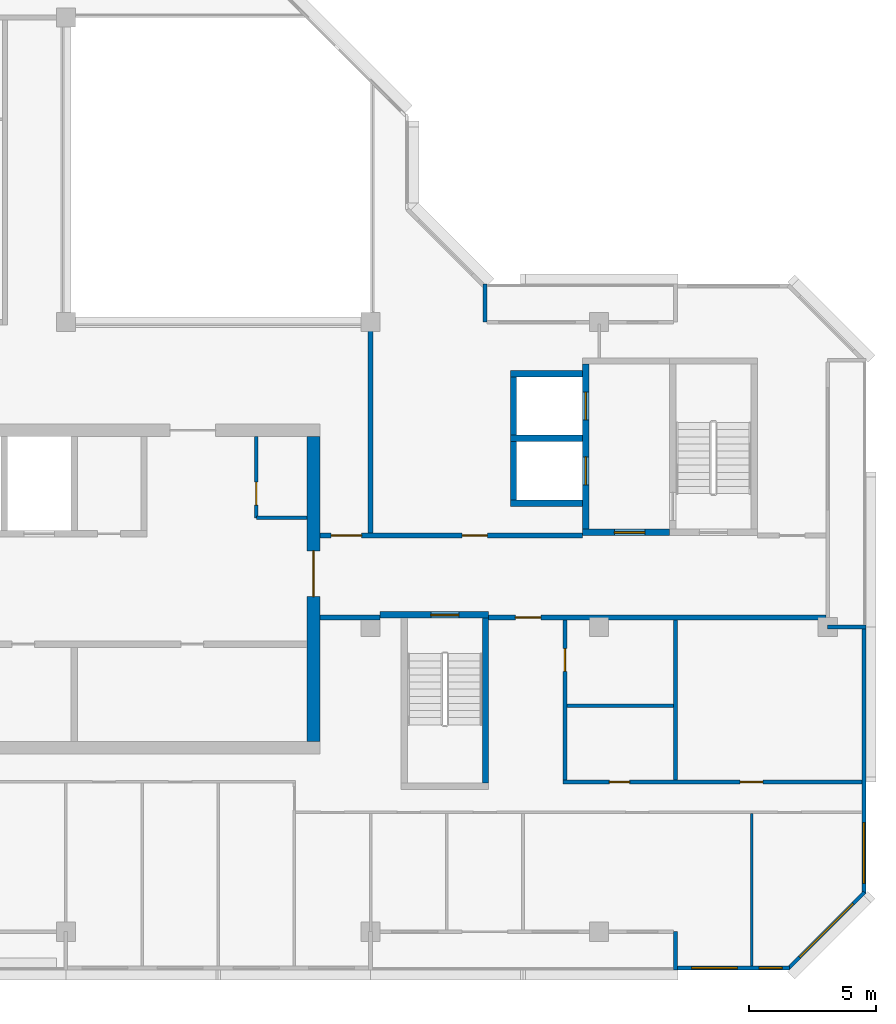
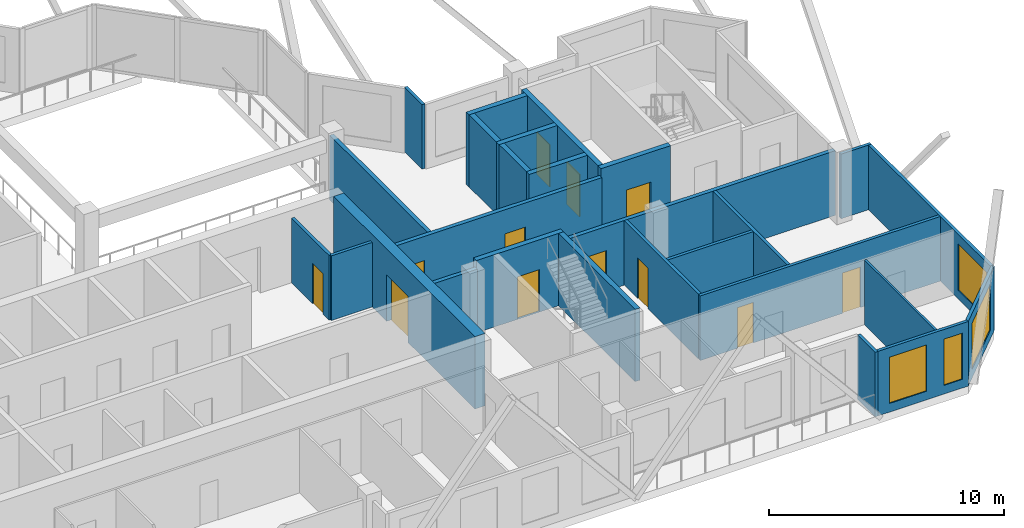
# One storey, part 6 of 12: 27 walls, 12 doors, 4 windows, 16 openings.
"""IFC4 building model written with IfcOpenShell, lengths in metres."""

from ifc_helpers import new_model, si_unit, direction, frame, frame_2d, origin, place, context, subcontext, project, spatial, rectangle, extrude, material, layer, layer_set, type_object, element, fill, save


model = new_model("IFC4")

# Units and contexts
model_context = context("Model", 3, precision=1e-05, world=origin(), true_north=direction((0.0, 1.0)))
body_context = subcontext(model_context, "Body", "Model", "MODEL_VIEW")
ifc_project = project(units=[si_unit("LENGTHUNIT", "METRE"), si_unit("AREAUNIT", "SQUARE_METRE"), si_unit("VOLUMEUNIT", "CUBIC_METRE"), si_unit("PLANEANGLEUNIT", "RADIAN"), si_unit("MASSUNIT", "GRAM", prefix="KILO")], contexts=[model_context])

# Site, building, storey
site_placement = place(None, origin())
site = spatial("IfcSite", under=ifc_project, at=site_placement, CompositionType="ELEMENT")
building_placement = place(site_placement, origin())
building = spatial("IfcBuilding", under=site, at=building_placement, Name="Chenar Terraces", CompositionType="ELEMENT")
storey_placement = place(building_placement, frame((0.0, 0.0, 361.39990234375)))
storey = spatial("IfcBuildingStorey", under=building, at=storey_placement, Name="L84", CompositionType="ELEMENT", Elevation=361.39990234375)

# Wall, opening, door
ifc_material_1 = material(Name="Gypsum board on steel studs", Category="steel")
ifc_layer_1 = layer(ifc_material_1, 0.14990234375)
ifc_layer_set_1 = layer_set([ifc_layer_1], Name="Gypsum board on steel studs")
wall_type_1 = type_object("IfcWallType", Name="Core partition 150 gypsum board", PredefinedType="PARTITIONING", material=ifc_layer_set_1)
wall_1_placement = place(storey_placement, frame((31.5, 16.300048828125, 0.0), z_axis=(0.0, 0.0, 1.0), x_axis=(0.0, 1.0, 0.0)))
wall_1 = element("IfcWall", 1, at=wall_1_placement, inside=storey, type_object=wall_type_1, Name="Core partition CP1 vestibule room west wall", PredefinedType="PARTITIONING", context=body_context, shape_type="SweptSolid", body=[
    extrude(rectangle(XDim=3.199951171875, YDim=0.14990234375, at=frame_2d((1.60009765625, 0.0))), origin(), (0.0, 0.0, 1.0), 3.35009765625),
])
opening_1_placement = place(wall_1_placement, frame((0.5, 0.0, 0.0)))
opening_1 = element("IfcOpeningElement", 2, at=opening_1_placement, cuts=wall_1, Name="Opening DL84-C17", PredefinedType="OPENING", context=body_context, shape_type="SweptSolid", body=[
    extrude(rectangle(XDim=0.89990234375, YDim=2.10009765625, at=frame_2d((0.449951171875, 1.050048828125))), frame((0.0, 0.0849609375, 0.0), z_axis=(0.0, -1.0, 0.0), x_axis=(1.0, 0.0, 0.0)), (0.0, 0.0, 1.0), 0.169921875),
])
ifc_material_2 = material(Name="Steel-framed fire-resisting door leaf", Category="steel")
door_type_1 = type_object("IfcDoorType", Name="Riser fire door FD60 900 x 2100", OperationType="SINGLE_SWING_LEFT", PredefinedType="DOOR", material=ifc_material_2)
door_1_placement = place(opening_1_placement, frame((0.89990234375, 0.0, 0.0), z_axis=(0.0, 0.0, 1.0), x_axis=(-1.0, 0.0, 0.0)))
door_1 = element("IfcDoor", 3, at=door_1_placement, inside=storey, type_object=door_type_1, Name="Core room door DL84-C17", OperationType="SINGLE_SWING_RIGHT", OverallHeight=2.10009765625, OverallWidth=0.89990234375, PredefinedType="DOOR", context=body_context, shape_type="SweptSolid", body=[
    extrude(rectangle(XDim=0.89990234375, YDim=2.10009765625, at=frame_2d((0.449951171875, 1.050048828125))), frame((0.0, 0.02490234375, 0.0), z_axis=(0.0, -1.0, 0.0), x_axis=(1.0, 0.0, 0.0)), (0.0, 0.0, 1.0), 0.050048828125),
])
fill(opening_1, door_1)

# Wall
wall_2_placement = place(storey_placement, frame((31.5, 16.300048828125, 0.0), z_axis=(0.0, 0.0, 1.0), x_axis=(1.0, 0.0, 0.0)))
element("IfcWall", 4, at=wall_2_placement, inside=storey, type_object=wall_type_1, Name="Core partition CP1 vestibule room south wall", PredefinedType="PARTITIONING", context=body_context, shape_type="SweptSolid", body=[
    extrude(rectangle(XDim=2.0, YDim=0.14990234375, at=frame_2d((1.0, 0.0))), origin(), (0.0, 0.0, 1.0), 3.35009765625),
])

# Wall, opening, door
ifc_material_3 = material(Name="Concrete C50/60", Category="concrete")
ifc_layer_2 = layer(ifc_material_3, 0.25)
ifc_layer_set_2 = layer_set([ifc_layer_2], Name="Concrete C50/60")
wall_type_2 = type_object("IfcWallType", Name="Core wall 250 Concrete C50/60", PredefinedType="SHEAR", material=ifc_layer_set_2)
wall_3_placement = place(storey_placement, frame((36.375, 12.47509765625, 0.0), z_axis=(0.0, 0.0, 1.0), x_axis=(1.0, 0.0, 0.0)))
wall_3 = element("IfcWall", 5, at=wall_3_placement, inside=storey, type_object=wall_type_2, Name="Core wall ST2_N L84", PredefinedType="SHEAR", context=body_context, shape_type="SweptSolid", body=[
    extrude(rectangle(XDim=4.27490234375, YDim=0.25, at=frame_2d((2.137451171875, 0.0))), origin(), (0.0, 0.0, 1.0), 3.75),
])
opening_2_placement = place(wall_3_placement, frame((2.0, 0.0, 0.0)))
opening_2 = element("IfcOpeningElement", 6, at=opening_2_placement, cuts=wall_3, Name="Opening DL84-C7", PredefinedType="OPENING", context=body_context, shape_type="SweptSolid", body=[
    extrude(rectangle(XDim=1.10009765625, YDim=2.199951171875, at=frame_2d((0.550048828125, 1.10009765625))), frame((0.0, 0.135009765625, 0.0), z_axis=(0.0, -1.0, 0.0), x_axis=(1.0, 0.0, 0.0)), (0.0, 0.0, 1.0), 0.27001953125),
])
ifc_material_4 = material(Name="Steel-framed fire-resisting door leaf", Category="steel")
door_type_2 = type_object("IfcDoorType", Name="Stair fire door FD60 1100 x 2200", OperationType="SINGLE_SWING_LEFT", PredefinedType="DOOR", material=ifc_material_4)
door_2_placement = place(opening_2_placement, frame((1.10009765625, 0.0, 0.0), z_axis=(0.0, 0.0, 1.0), x_axis=(-1.0, 0.0, 0.0)))
door_2 = element("IfcDoor", 7, at=door_2_placement, inside=storey, type_object=door_type_2, Name="Stair door DL84-C7", OperationType="SINGLE_SWING_LEFT", OverallHeight=2.199951171875, OverallWidth=1.10009765625, PredefinedType="DOOR", context=body_context, shape_type="SweptSolid", body=[
    extrude(rectangle(XDim=1.10009765625, YDim=2.199951171875, at=frame_2d((0.550048828125, 1.10009765625))), frame((0.0, 0.02490234375, 0.0), z_axis=(0.0, -1.0, 0.0), x_axis=(1.0, 0.0, 0.0)), (0.0, 0.0, 1.0), 0.050048828125),
])
fill(opening_2, door_2)

# Wall
wall_4_placement = place(storey_placement, frame((40.52490234375, 5.85009765625, 0.0), z_axis=(0.0, 0.0, 1.0), x_axis=(0.0, 1.0, 0.0)))
element("IfcWall", 8, at=wall_4_placement, inside=storey, type_object=wall_type_2, Name="Core wall ST2_E L84", PredefinedType="SHEAR", context=body_context, shape_type="SweptSolid", body=[
    extrude(rectangle(XDim=6.5, YDim=0.25, at=frame_2d((3.25, 0.0))), origin(), (0.0, 0.0, 1.0), 3.75),
])

# Wall, opening, door
wall_5_placement = place(storey_placement, frame((44.35009765625, 15.72509765625, 0.0), z_axis=(0.0, 0.0, 1.0), x_axis=(1.0, 0.0, 0.0)))
wall_5 = element("IfcWall", 9, at=wall_5_placement, inside=storey, type_object=wall_type_2, Name="Core wall F3_LS L84", PredefinedType="SHEAR", context=body_context, shape_type="SweptSolid", body=[
    extrude(rectangle(XDim=3.4248046875, YDim=0.25, at=frame_2d((1.71240234375, 0.0))), origin(), (0.0, 0.0, 1.0), 3.75),
])
opening_3_placement = place(wall_5_placement, frame((1.25, 0.0, 0.0)))
opening_3 = element("IfcOpeningElement", 10, at=opening_3_placement, cuts=wall_5, Name="Opening DL84-C10", PredefinedType="OPENING", context=body_context, shape_type="SweptSolid", body=[
    extrude(rectangle(XDim=1.199951171875, YDim=2.199951171875, at=frame_2d((0.60009765625, 1.10009765625))), frame((0.0, 0.135009765625, 0.0), z_axis=(0.0, -1.0, 0.0), x_axis=(1.0, 0.0, 0.0)), (0.0, 0.0, 1.0), 0.27001953125),
])
ifc_material_5 = material(Name="Steel-framed fire-resisting door leaf", Category="steel")
door_type_3 = type_object("IfcDoorType", Name="Lobby fire door FD60 1200 x 2200", OperationType="SINGLE_SWING_LEFT", PredefinedType="DOOR", material=ifc_material_5)
door_3_placement = place(opening_3_placement, origin())
door_3 = element("IfcDoor", 11, at=door_3_placement, inside=storey, type_object=door_type_3, Name="Core door DL84-C10", OperationType="SINGLE_SWING_RIGHT", OverallHeight=2.199951171875, OverallWidth=1.199951171875, PredefinedType="DOOR", context=body_context, shape_type="SweptSolid", body=[
    extrude(rectangle(XDim=1.199951171875, YDim=2.199951171875, at=frame_2d((0.60009765625, 1.10009765625))), frame((0.0, 0.02490234375, 0.0), z_axis=(0.0, -1.0, 0.0), x_axis=(1.0, 0.0, 0.0)), (0.0, 0.0, 1.0), 0.050048828125),
])
fill(opening_3, door_3)

# Wall, openings, doors
wall_6_placement = place(storey_placement, frame((44.47509765625, 15.85009765625, 0.0), z_axis=(0.0, 0.0, 1.0), x_axis=(0.0, 1.0, 0.0)))
wall_6 = element("IfcWall", 12, at=wall_6_placement, inside=storey, type_object=wall_type_2, Name="Core wall F3_LW L84", PredefinedType="SHEAR", context=body_context, shape_type="SweptSolid", body=[
    extrude(rectangle(XDim=6.5, YDim=0.25, at=frame_2d((3.25, 0.0))), origin(), (0.0, 0.0, 1.0), 3.75),
])
opening_4_placement = place(wall_6_placement, frame((1.75, 0.0, 0.0)))
opening_4 = element("IfcOpeningElement", 13, at=opening_4_placement, cuts=wall_6, Name="Opening DL84-LD8", PredefinedType="OPENING", context=body_context, shape_type="SweptSolid", body=[
    extrude(rectangle(XDim=1.10009765625, YDim=2.199951171875, at=frame_2d((0.550048828125, 1.10009765625))), frame((0.0, 0.135009765625, 0.0), z_axis=(0.0, -1.0, 0.0), x_axis=(1.0, 0.0, 0.0)), (0.0, 0.0, 1.0), 0.27001953125),
])
opening_5_placement = place(wall_6_placement, frame((4.300048828125, 0.0, 0.0)))
opening_5 = element("IfcOpeningElement", 14, at=opening_5_placement, cuts=wall_6, Name="Opening DL84-LD9", PredefinedType="OPENING", context=body_context, shape_type="SweptSolid", body=[
    extrude(rectangle(XDim=1.10009765625, YDim=2.199951171875, at=frame_2d((0.550048828125, 1.10009765625))), frame((0.0, 0.135009765625, 0.0), z_axis=(0.0, -1.0, 0.0), x_axis=(1.0, 0.0, 0.0)), (0.0, 0.0, 1.0), 0.27001953125),
])
ifc_material_6 = material(Name="Stainless steel", Category="steel")
door_type_4 = type_object("IfcDoorType", Name="Lift landing door 1100 x 2200 sliding", OperationType="DOUBLE_DOOR_SLIDING", PredefinedType="DOOR", material=ifc_material_6)
door_4_placement = place(opening_4_placement, origin())
door_4 = element("IfcDoor", 15, at=door_4_placement, inside=storey, type_object=door_type_4, Name="Landing door F3", OperationType="DOUBLE_DOOR_SLIDING", OverallHeight=2.199951171875, OverallWidth=1.10009765625, PredefinedType="DOOR", context=body_context, shape_type="SweptSolid", body=[
    extrude(rectangle(XDim=1.10009765625, YDim=2.199951171875, at=frame_2d((0.550048828125, 1.10009765625))), frame((0.0, 0.02490234375, 0.0), z_axis=(0.0, -1.0, 0.0), x_axis=(1.0, 0.0, 0.0)), (0.0, 0.0, 1.0), 0.050048828125),
])
fill(opening_4, door_4)
door_5_placement = place(opening_5_placement, origin())
door_5 = element("IfcDoor", 16, at=door_5_placement, inside=storey, type_object=door_type_4, Name="Landing door F4", OperationType="DOUBLE_DOOR_SLIDING", OverallHeight=2.199951171875, OverallWidth=1.10009765625, PredefinedType="DOOR", context=body_context, shape_type="SweptSolid", body=[
    extrude(rectangle(XDim=1.10009765625, YDim=2.199951171875, at=frame_2d((0.550048828125, 1.10009765625))), frame((0.0, 0.02490234375, 0.0), z_axis=(0.0, -1.0, 0.0), x_axis=(1.0, 0.0, 0.0)), (0.0, 0.0, 1.0), 0.050048828125),
])
fill(opening_5, door_5)

# Walls
for number, where, z_axis, x_axis, name in (
    (17, (41.5, 16.875, 0.0), (0.0, 0.0, 1.0), (1.0, 0.0, 0.0), "Core wall F3_SS L84"),
    (18, (41.5, 19.425048828125, 0.0), (0.0, 0.0, 1.0), (1.0, 0.0, 0.0), "Core wall F3_SM L84"),
    (19, (41.5, 21.97509765625, 0.0), (0.0, 0.0, 1.0), (1.0, 0.0, 0.0), "Core wall F4_SN L84"),
):
    element("IfcWall", number, at=place(storey_placement, frame(where, z_axis=z_axis, x_axis=x_axis)), inside=storey, type_object=wall_type_2, Name=name, PredefinedType="SHEAR", context=body_context, shape_type="SweptSolid", body=[
        extrude(rectangle(XDim=2.85009765625, YDim=0.25, at=frame_2d((1.425048828125, 0.0))), origin(), (0.0, 0.0, 1.0), 3.75),
    ])
for number, where, z_axis, x_axis, name in (
    (20, (41.625, 17.0, 0.0), (0.0, 0.0, 1.0), (0.0, 1.0, 0.0), "Core wall F3_SW L84"),
    (21, (41.625, 19.550048828125, 0.0), (0.0, 0.0, 1.0), (0.0, 1.0, 0.0), "Core wall F4_SW L84"),
):
    element("IfcWall", number, at=place(storey_placement, frame(where, z_axis=z_axis, x_axis=x_axis)), inside=storey, type_object=wall_type_2, Name=name, PredefinedType="SHEAR", context=body_context, shape_type="SweptSolid", body=[
        extrude(rectangle(XDim=2.300048828125, YDim=0.25, at=frame_2d((1.14990234375, 0.0))), origin(), (0.0, 0.0, 1.0), 3.75),
    ])

# Wall, opening, door
ifc_material_7 = material(Name="Concrete C50/60", Category="concrete")
ifc_layer_3 = layer(ifc_material_7, 0.5)
ifc_layer_set_3 = layer_set([ifc_layer_3], Name="Concrete C50/60")
wall_type_3 = type_object("IfcWallType", Name="Core wall 500 Concrete C50/60", PredefinedType="SHEAR", material=ifc_layer_set_3)
wall_7_placement = place(storey_placement, frame((33.75, 7.5, 0.0), z_axis=(0.0, 0.0, 1.0), x_axis=(0.0, 1.0, 0.0)))
wall_7 = element("IfcWall", 22, at=wall_7_placement, inside=storey, type_object=wall_type_3, Name="Core wall E L84", PredefinedType="SHEAR", context=body_context, shape_type="SweptSolid", body=[
    extrude(rectangle(XDim=12.0, YDim=0.5, at=frame_2d((6.0, 0.0))), origin(), (0.0, 0.0, 1.0), 3.75),
])
opening_6_placement = place(wall_7_placement, frame((5.699951171875, 0.0, 0.0)))
opening_6 = element("IfcOpeningElement", 23, at=opening_6_placement, cuts=wall_7, Name="Opening DL84-C1", PredefinedType="OPENING", context=body_context, shape_type="SweptSolid", body=[
    extrude(rectangle(XDim=1.800048828125, YDim=2.39990234375, at=frame_2d((0.89990234375, 1.199951171875))), frame((0.0, 0.260009765625, 0.0), z_axis=(0.0, -1.0, 0.0), x_axis=(1.0, 0.0, 0.0)), (0.0, 0.0, 1.0), 0.52001953125),
])
ifc_material_8 = material(Name="Steel-framed fire-resisting door leaf", Category="steel")
door_type_5 = type_object("IfcDoorType", Name="Core entrance double fire door FD60 1800 x 2400", OperationType="DOUBLE_DOOR_SINGLE_SWING", PredefinedType="DOOR", material=ifc_material_8)
door_6_placement = place(opening_6_placement, origin())
door_6 = element("IfcDoor", 24, at=door_6_placement, inside=storey, type_object=door_type_5, Name="Core door DL84-C1", OperationType="DOUBLE_DOOR_SINGLE_SWING", OverallHeight=2.39990234375, OverallWidth=1.800048828125, PredefinedType="DOOR", context=body_context, shape_type="SweptSolid", body=[
    extrude(rectangle(XDim=1.800048828125, YDim=2.39990234375, at=frame_2d((0.89990234375, 1.199951171875))), frame((0.0, 0.02490234375, 0.0), z_axis=(0.0, -1.0, 0.0), x_axis=(1.0, 0.0, 0.0)), (0.0, 0.0, 1.0), 0.050048828125),
])
fill(opening_6, door_6)

# Wall
ifc_material_9 = material(Name="Gypsum board on steel studs with fire boards", Category="steel")
ifc_layer_4 = layer(ifc_material_9, 0.199951171875)
ifc_layer_set_4 = layer_set([ifc_layer_4], Name="Gypsum board on steel studs with fire boards")
wall_type_4 = type_object("IfcWallType", Name="Corridor wall 200", PredefinedType="PARTITIONING", material=ifc_layer_set_4)
wall_8_placement = place(storey_placement, frame((34.0, 12.375, 0.0), z_axis=(0.0, 0.0, 1.0), x_axis=(1.0, 0.0, 0.0)))
element("IfcWall", 25, at=wall_8_placement, inside=storey, type_object=wall_type_4, Name="Partition L84-051", PredefinedType="PARTITIONING", context=body_context, shape_type="SweptSolid", body=[
    extrude(rectangle(XDim=2.3759765625, YDim=0.199951171875, at=frame_2d((1.18798828125, 0.0))), origin(), (0.0, 0.0, 1.0), 3.35009765625),
])

# Wall, openings, doors
wall_9_placement = place(storey_placement, frame((34.0, 15.60009765625, 0.0), z_axis=(0.0, 0.0, 1.0), x_axis=(1.0, 0.0, 0.0)))
wall_9 = element("IfcWall", 26, at=wall_9_placement, inside=storey, type_object=wall_type_4, Name="Partition L84-052", PredefinedType="PARTITIONING", context=body_context, shape_type="SweptSolid", body=[
    extrude(rectangle(XDim=10.35009765625, YDim=0.199951171875, at=frame_2d((5.175048828125, 0.0))), origin(), (0.0, 0.0, 1.0), 3.35009765625),
])
opening_7_placement = place(wall_9_placement, frame((5.60009765625, 0.0, 0.0)))
opening_7 = element("IfcOpeningElement", 27, at=opening_7_placement, cuts=wall_9, Name="Opening DL84-3", PredefinedType="OPENING", context=body_context, shape_type="SweptSolid", body=[
    extrude(rectangle(XDim=1.0, YDim=2.10009765625, at=frame_2d((0.5, 1.050048828125))), frame((0.0, 0.10986328125, 0.0), z_axis=(0.0, -1.0, 0.0), x_axis=(1.0, 0.0, 0.0)), (0.0, 0.0, 1.0), 0.219970703125),
])
opening_8_placement = place(wall_9_placement, frame((0.449951171875, 0.0, 0.0)))
opening_8 = element("IfcOpeningElement", 28, at=opening_8_placement, cuts=wall_9, Name="Opening DL84-19", PredefinedType="OPENING", context=body_context, shape_type="SweptSolid", body=[
    extrude(rectangle(XDim=1.199951171875, YDim=2.10009765625, at=frame_2d((0.60009765625, 1.050048828125))), frame((0.0, 0.10986328125, 0.0), z_axis=(0.0, -1.0, 0.0), x_axis=(1.0, 0.0, 0.0)), (0.0, 0.0, 1.0), 0.219970703125),
])
ifc_material_10 = material(Name="Steel-framed fire-resisting door leaf", Category="steel")
door_type_6 = type_object("IfcDoorType", Name="Fire door FD60 1000 x 2100", OperationType="SINGLE_SWING_LEFT", PredefinedType="DOOR", material=ifc_material_10)
door_7_placement = place(opening_7_placement, origin())
door_7 = element("IfcDoor", 29, at=door_7_placement, inside=storey, type_object=door_type_6, Name="Door DL84-3", OperationType="SINGLE_SWING_RIGHT", OverallHeight=2.10009765625, OverallWidth=1.0, PredefinedType="DOOR", context=body_context, shape_type="SweptSolid", body=[
    extrude(rectangle(XDim=1.0, YDim=2.10009765625, at=frame_2d((0.5, 1.050048828125))), frame((0.0, 0.02490234375, 0.0), z_axis=(0.0, -1.0, 0.0), x_axis=(1.0, 0.0, 0.0)), (0.0, 0.0, 1.0), 0.050048828125),
])
fill(opening_7, door_7)
ifc_material_11 = material(Name="Steel-framed fire-resisting door leaf", Category="steel")
door_type_7 = type_object("IfcDoorType", Name="Fire door FD60 1200 x 2100", OperationType="SINGLE_SWING_LEFT", PredefinedType="DOOR", material=ifc_material_11)
door_8_placement = place(opening_8_placement, origin())
door_8 = element("IfcDoor", 30, at=door_8_placement, inside=storey, type_object=door_type_7, Name="Door DL84-19", OperationType="SINGLE_SWING_RIGHT", OverallHeight=2.10009765625, OverallWidth=1.199951171875, PredefinedType="DOOR", context=body_context, shape_type="SweptSolid", body=[
    extrude(rectangle(XDim=1.199951171875, YDim=2.10009765625, at=frame_2d((0.60009765625, 1.050048828125))), frame((0.0, 0.02490234375, 0.0), z_axis=(0.0, -1.0, 0.0), x_axis=(1.0, 0.0, 0.0)), (0.0, 0.0, 1.0), 0.050048828125),
])
fill(opening_8, door_8)

# Wall
wall_10_placement = place(storey_placement, frame((36.0, 15.699951171875, 0.0), z_axis=(0.0, 0.0, 1.0), x_axis=(0.0, 1.0, 0.0)))
element("IfcWall", 31, at=wall_10_placement, inside=storey, type_object=wall_type_4, Name="Partition L84-054", PredefinedType="PARTITIONING", context=body_context, shape_type="SweptSolid", body=[
    extrude(rectangle(XDim=8.300048828125, YDim=0.199951171875, at=frame_2d((4.14990234375, 0.0))), origin(), (0.0, 0.0, 1.0), 3.35009765625),
])

# Wall, opening, door
wall_11_placement = place(storey_placement, frame((40.64990234375, 12.375, 0.0), z_axis=(0.0, 0.0, 1.0), x_axis=(1.0, 0.0, 0.0)))
wall_11 = element("IfcWall", 32, at=wall_11_placement, inside=storey, type_object=wall_type_4, Name="Partition L84-056", PredefinedType="PARTITIONING", context=body_context, shape_type="SweptSolid", body=[
    extrude(rectangle(XDim=13.276123046875, YDim=0.199951171875, at=frame_2d((6.63818359375, 0.0))), origin(), (0.0, 0.0, 1.0), 3.35009765625),
])
opening_9_placement = place(wall_11_placement, frame((1.050048828125, 0.0, 0.0)))
opening_9 = element("IfcOpeningElement", 33, at=opening_9_placement, cuts=wall_11, Name="Opening DL84-36", PredefinedType="OPENING", context=body_context, shape_type="SweptSolid", body=[
    extrude(rectangle(XDim=1.0, YDim=2.10009765625, at=frame_2d((0.5, 1.050048828125))), frame((0.0, 0.10986328125, 0.0), z_axis=(0.0, -1.0, 0.0), x_axis=(1.0, 0.0, 0.0)), (0.0, 0.0, 1.0), 0.219970703125),
])
ifc_material_12 = material(Name="Steel-framed fire-resisting door leaf", Category="steel")
door_type_8 = type_object("IfcDoorType", Name="Fire door FD30S 1000 x 2100", OperationType="SINGLE_SWING_LEFT", PredefinedType="DOOR", material=ifc_material_12)
door_9_placement = place(opening_9_placement, origin())
door_9 = element("IfcDoor", 34, at=door_9_placement, inside=storey, type_object=door_type_8, Name="Door DL84-36", OperationType="SINGLE_SWING_LEFT", OverallHeight=2.10009765625, OverallWidth=1.0, PredefinedType="DOOR", context=body_context, shape_type="SweptSolid", body=[
    extrude(rectangle(XDim=1.0, YDim=2.10009765625, at=frame_2d((0.5, 1.050048828125))), frame((0.0, 0.02490234375, 0.0), z_axis=(0.0, -1.0, 0.0), x_axis=(1.0, 0.0, 0.0)), (0.0, 0.0, 1.0), 0.050048828125),
])
fill(opening_9, door_9)

# Wall, openings, windows
ifc_material_13 = material(Name="Aluminium framed glazing", Category="aluminium")
ifc_layer_5 = layer(ifc_material_13, 0.14990234375)
ifc_layer_set_5 = layer_set([ifc_layer_5], Name="Aluminium framed glazing")
wall_type_5 = type_object("IfcWallType", Name="Glazed flush facade wall 150", PredefinedType="SOLIDWALL", material=ifc_layer_set_5)
wall_12_placement = place(storey_placement, frame((48.074951171875, -1.425048828125, 0.0), z_axis=(0.0, 0.0, 1.0), x_axis=(1.0, 0.0, 0.0)))
wall_12 = element("IfcWall", 35, at=wall_12_placement, inside=storey, type_object=wall_type_5, Name="Glazed flush facade wall", PredefinedType="SOLIDWALL", context=body_context, shape_type="SweptSolid", body=[
    extrude(rectangle(XDim=4.425048828125, YDim=0.14990234375, at=frame_2d((2.21240234375, 0.0))), origin(), (0.0, 0.0, 1.0), 3.35009765625),
])
opening_10_placement = place(wall_12_placement, frame((0.5625, 0.0, 0.449951171875)))
opening_10 = element("IfcOpeningElement", 36, at=opening_10_placement, cuts=wall_12, Name="Opening W180x240", PredefinedType="OPENING", context=body_context, shape_type="SweptSolid", body=[
    extrude(rectangle(XDim=1.800048828125, YDim=2.39990234375, at=frame_2d((0.89990234375, 1.199951171875))), frame((0.0, 0.0849609375, 0.0), z_axis=(0.0, -1.0, 0.0), x_axis=(1.0, 0.0, 0.0)), (0.0, 0.0, 1.0), 0.169921875),
])
opening_11_placement = place(wall_12_placement, frame((3.22509765625, 0.0, 0.449951171875)))
opening_11 = element("IfcOpeningElement", 37, at=opening_11_placement, cuts=wall_12, Name="Opening W90x240", PredefinedType="OPENING", context=body_context, shape_type="SweptSolid", body=[
    extrude(rectangle(XDim=0.89990234375, YDim=2.39990234375, at=frame_2d((0.449951171875, 1.199951171875))), frame((0.0, 0.0849609375, 0.0), z_axis=(0.0, -1.0, 0.0), x_axis=(1.0, 0.0, 0.0)), (0.0, 0.0, 1.0), 0.169921875),
])
ifc_material_14 = material(Name="Low emissivity double glazing, aluminium frame", Category="aluminium")
window_type_1 = type_object("IfcWindowType", Name="Fixed light 1800 x 2400", PartitioningType="SINGLE_PANEL", PredefinedType="WINDOW", material=ifc_material_14)
window_1_placement = place(opening_10_placement, origin())
window_1 = element("IfcWindow", 38, at=window_1_placement, inside=storey, type_object=window_type_1, Name="Window", OverallHeight=2.39990234375, OverallWidth=1.800048828125, PartitioningType="SINGLE_PANEL", PredefinedType="WINDOW", context=body_context, shape_type="SweptSolid", body=[
    extrude(rectangle(XDim=1.800048828125, YDim=2.39990234375, at=frame_2d((0.89990234375, 1.199951171875))), frame((0.0, 0.030029296875, 0.0), z_axis=(0.0, -1.0, 0.0), x_axis=(1.0, 0.0, 0.0)), (0.0, 0.0, 1.0), 0.06005859375),
])
fill(opening_10, window_1)
ifc_material_15 = material(Name="Low emissivity double glazing, aluminium frame", Category="aluminium")
window_type_2 = type_object("IfcWindowType", Name="Fixed light 900 x 2400", PartitioningType="SINGLE_PANEL", PredefinedType="WINDOW", material=ifc_material_15)
window_2_placement = place(opening_11_placement, origin())
window_2 = element("IfcWindow", 39, at=window_2_placement, inside=storey, type_object=window_type_2, Name="Window", OverallHeight=2.39990234375, OverallWidth=0.89990234375, PartitioningType="SINGLE_PANEL", PredefinedType="WINDOW", context=body_context, shape_type="SweptSolid", body=[
    extrude(rectangle(XDim=0.89990234375, YDim=2.39990234375, at=frame_2d((0.449951171875, 1.199951171875))), frame((0.0, 0.030029296875, 0.0), z_axis=(0.0, -1.0, 0.0), x_axis=(1.0, 0.0, 0.0)), (0.0, 0.0, 1.0), 0.06005859375),
])
fill(opening_11, window_2)

# Wall, opening, window
wall_13_placement = place(storey_placement, frame((55.425048828125, 1.5, 0.0), z_axis=(0.0, 0.0, 1.0), x_axis=(0.0, 1.0, 0.0)))
wall_13 = element("IfcWall", 40, at=wall_13_placement, inside=storey, type_object=wall_type_5, Name="Glazed flush facade wall", PredefinedType="SOLIDWALL", context=body_context, shape_type="SweptSolid", body=[
    extrude(rectangle(XDim=10.425048828125, YDim=0.14990234375, at=frame_2d((5.21240234375, 0.0))), origin(), (0.0, 0.0, 1.0), 3.35009765625),
])
opening_12_placement = place(wall_13_placement, frame((0.39990234375, 0.0, 0.449951171875)))
opening_12 = element("IfcOpeningElement", 41, at=opening_12_placement, cuts=wall_13, Name="Opening W240x240", PredefinedType="OPENING", context=body_context, shape_type="SweptSolid", body=[
    extrude(rectangle(XDim=2.39990234375, YDim=2.39990234375, at=frame_2d((1.199951171875, 1.199951171875))), frame((0.0, 0.0849609375, 0.0), z_axis=(0.0, -1.0, 0.0), x_axis=(1.0, 0.0, 0.0)), (0.0, 0.0, 1.0), 0.169921875),
])
ifc_material_16 = material(Name="Low emissivity double glazing, aluminium frame", Category="aluminium")
window_type_3 = type_object("IfcWindowType", Name="Fixed light 2400 x 2400", PartitioningType="SINGLE_PANEL", PredefinedType="WINDOW", material=ifc_material_16)
window_3_placement = place(opening_12_placement, origin())
window_3 = element("IfcWindow", 42, at=window_3_placement, inside=storey, type_object=window_type_3, Name="Window", OverallHeight=2.39990234375, OverallWidth=2.39990234375, PartitioningType="SINGLE_PANEL", PredefinedType="WINDOW", context=body_context, shape_type="SweptSolid", body=[
    extrude(rectangle(XDim=2.39990234375, YDim=2.39990234375, at=frame_2d((1.199951171875, 1.199951171875))), frame((0.0, 0.030029296875, 0.0), z_axis=(0.0, -1.0, 0.0), x_axis=(1.0, 0.0, 0.0)), (0.0, 0.0, 1.0), 0.06005859375),
])
fill(opening_12, window_3)

# Walls
ifc_material_17 = material(Name="Gypsum board on steel studs", Category="steel")
ifc_layer_6 = layer(ifc_material_17, 0.10009765625)
ifc_layer_set_6 = layer_set([ifc_layer_6], Name="Gypsum board on steel studs")
wall_type_6 = type_object("IfcWallType", Name="Gypsum partition 100", PredefinedType="PARTITIONING", material=ifc_layer_set_6)
wall_14_placement = place(storey_placement, frame((51.0, -1.35009765625, 0.0), z_axis=(0.0, 0.0, 1.0), x_axis=(0.0, 1.0, 0.0)))
element("IfcWall", 43, at=wall_14_placement, inside=storey, type_object=wall_type_6, Name="Partition L84-063", PredefinedType="PARTITIONING", context=body_context, shape_type="SweptSolid", body=[
    extrude(rectangle(XDim=6.0, YDim=0.10009765625, at=frame_2d((3.0, 0.0))), origin(), (0.0, 0.0, 1.0), 3.35009765625),
])
ifc_material_18 = material(Name="Terracotta cladding on insulated backing", Category="masonry")
ifc_layer_7 = layer(ifc_material_18, 0.14990234375)
ifc_layer_set_7 = layer_set([ifc_layer_7], Name="Terracotta cladding on insulated backing")
wall_type_7 = type_object("IfcWallType", Name="Loggia return wall 150", PredefinedType="SOLIDWALL", material=ifc_layer_set_7)
for number, where, z_axis, x_axis, name in (
    (44, (40.5, 25.5, 0.0), (0.0, 0.0, 1.0), (0.0, -1.0, 0.0), "Loggia return wall"),
    (45, (48.0, -1.5, 0.0), (0.0, 0.0, 1.0), (0.0, 1.0, 0.0), "Loggia return wall"),
    (46, (55.5, 12.0, 0.0), (0.0, 0.0, 1.0), (-1.0, 0.0, 0.0), "Loggia return wall"),
):
    element("IfcWall", number, at=place(storey_placement, frame(where, z_axis=z_axis, x_axis=x_axis)), inside=storey, type_object=wall_type_7, Name=name, PredefinedType="SOLIDWALL", context=body_context, shape_type="SweptSolid", body=[
        extrude(rectangle(XDim=1.5, YDim=0.14990234375, at=frame_2d((0.75, 0.0))), origin(), (0.0, 0.0, 1.0), 3.35009765625),
    ])

# Wall, opening, window
ifc_material_19 = material(Name="Terracotta cladding on insulated backing", Category="masonry")
ifc_layer_8 = layer(ifc_material_19, 0.14990234375)
ifc_layer_set_8 = layer_set([ifc_layer_8], Name="Terracotta cladding on insulated backing")
wall_type_8 = type_object("IfcWallType", Name="Terracotta rainscreen wall 150", PredefinedType="SOLIDWALL", material=ifc_layer_set_8)
wall_15_placement = place(storey_placement, frame((52.447021484375, -1.447021484375, 0.0), z_axis=(0.0, 0.0, 1.0), x_axis=(0.707106781187, 0.707106781187, 0.0)))
wall_15 = element("IfcWall", 47, at=wall_15_placement, inside=storey, type_object=wall_type_8, Name="Terracotta rainscreen wall", PredefinedType="SOLIDWALL", context=body_context, shape_type="SweptSolid", body=[
    extrude(rectangle(XDim=4.24267578125, YDim=0.14990234375, at=frame_2d((2.121337890625, 0.0))), origin(), (0.0, 0.0, 1.0), 3.35009765625),
])
opening_13_placement = place(wall_15_placement, frame((0.621337890625, 0.0, 0.449951171875)))
opening_13 = element("IfcOpeningElement", 48, at=opening_13_placement, cuts=wall_15, Name="Opening W300x240", PredefinedType="OPENING", context=body_context, shape_type="SweptSolid", body=[
    extrude(rectangle(XDim=3.0, YDim=2.39990234375, at=frame_2d((1.5, 1.199951171875))), frame((0.0, 0.0849609375, 0.0), z_axis=(0.0, -1.0, 0.0), x_axis=(1.0, 0.0, 0.0)), (0.0, 0.0, 1.0), 0.169921875),
])
ifc_material_20 = material(Name="Low emissivity double glazing, aluminium frame", Category="aluminium")
window_type_4 = type_object("IfcWindowType", Name="Fixed light 3000 x 2400", PartitioningType="SINGLE_PANEL", PredefinedType="WINDOW", material=ifc_material_20)
window_4_placement = place(opening_13_placement, origin())
window_4 = element("IfcWindow", 49, at=window_4_placement, inside=storey, type_object=window_type_4, Name="Window", OverallHeight=2.39990234375, OverallWidth=3.0, PartitioningType="SINGLE_PANEL", PredefinedType="WINDOW", context=body_context, shape_type="SweptSolid", body=[
    extrude(rectangle(XDim=3.0, YDim=2.39990234375, at=frame_2d((1.5, 1.199951171875))), frame((0.0, 0.030029296875, 0.0), z_axis=(0.0, -1.0, 0.0), x_axis=(1.0, 0.0, 0.0)), (0.0, 0.0, 1.0), 0.06005859375),
])
fill(opening_13, window_4)

# Wall, openings, doors
ifc_material_21 = material(Name="Moisture-resistant gypsum board on steel studs", Category="steel")
ifc_layer_9 = layer(ifc_material_21, 0.14990234375)
ifc_layer_set_9 = layer_set([ifc_layer_9], Name="Moisture-resistant gypsum board on steel studs")
wall_type_9 = type_object("IfcWallType", Name="Wet-room partition 150", PredefinedType="PARTITIONING", material=ifc_layer_set_9)
wall_16_placement = place(storey_placement, frame((43.574951171875, 5.89990234375, 0.0), z_axis=(0.0, 0.0, 1.0), x_axis=(1.0, 0.0, 0.0)))
wall_16 = element("IfcWall", 50, at=wall_16_placement, inside=storey, type_object=wall_type_9, Name="Partition L84-058", PredefinedType="PARTITIONING", context=body_context, shape_type="SweptSolid", body=[
    extrude(rectangle(XDim=11.775146484375, YDim=0.14990234375, at=frame_2d((5.8876953125, 0.0))), origin(), (0.0, 0.0, 1.0), 3.35009765625),
])
opening_14_placement = place(wall_16_placement, frame((1.824951171875, 0.0, 0.0)))
opening_14 = element("IfcOpeningElement", 51, at=opening_14_placement, cuts=wall_16, Name="Opening DL84-24", PredefinedType="OPENING", context=body_context, shape_type="SweptSolid", body=[
    extrude(rectangle(XDim=0.800048828125, YDim=2.10009765625, at=frame_2d((0.39990234375, 1.050048828125))), frame((0.0, 0.0849609375, 0.0), z_axis=(0.0, -1.0, 0.0), x_axis=(1.0, 0.0, 0.0)), (0.0, 0.0, 1.0), 0.169921875),
])
opening_15_placement = place(wall_16_placement, frame((6.97509765625, 0.0, 0.0)))
opening_15 = element("IfcOpeningElement", 52, at=opening_15_placement, cuts=wall_16, Name="Opening DL84-35", PredefinedType="OPENING", context=body_context, shape_type="SweptSolid", body=[
    extrude(rectangle(XDim=0.89990234375, YDim=2.10009765625, at=frame_2d((0.449951171875, 1.050048828125))), frame((0.0, 0.0849609375, 0.0), z_axis=(0.0, -1.0, 0.0), x_axis=(1.0, 0.0, 0.0)), (0.0, 0.0, 1.0), 0.169921875),
])
ifc_material_22 = material(Name="Veneered timber door leaf", Category="wood")
door_type_9 = type_object("IfcDoorType", Name="Door 800 x 2100", OperationType="SINGLE_SWING_LEFT", PredefinedType="DOOR", material=ifc_material_22)
door_10_placement = place(opening_14_placement, origin())
door_10 = element("IfcDoor", 53, at=door_10_placement, inside=storey, type_object=door_type_9, Name="Door DL84-24", OperationType="SINGLE_SWING_RIGHT", OverallHeight=2.10009765625, OverallWidth=0.800048828125, PredefinedType="DOOR", context=body_context, shape_type="SweptSolid", body=[
    extrude(rectangle(XDim=0.800048828125, YDim=2.10009765625, at=frame_2d((0.39990234375, 1.050048828125))), frame((0.0, 0.02490234375, 0.0), z_axis=(0.0, -1.0, 0.0), x_axis=(1.0, 0.0, 0.0)), (0.0, 0.0, 1.0), 0.050048828125),
])
fill(opening_14, door_10)
ifc_material_23 = material(Name="Veneered timber door leaf", Category="wood")
door_type_10 = type_object("IfcDoorType", Name="Door 900 x 2100", OperationType="SINGLE_SWING_LEFT", PredefinedType="DOOR", material=ifc_material_23)
door_11_placement = place(opening_15_placement, origin())
door_11 = element("IfcDoor", 54, at=door_11_placement, inside=storey, type_object=door_type_10, Name="Door DL84-35", OperationType="SINGLE_SWING_RIGHT", OverallHeight=2.10009765625, OverallWidth=0.89990234375, PredefinedType="DOOR", context=body_context, shape_type="SweptSolid", body=[
    extrude(rectangle(XDim=0.89990234375, YDim=2.10009765625, at=frame_2d((0.449951171875, 1.050048828125))), frame((0.0, 0.02490234375, 0.0), z_axis=(0.0, -1.0, 0.0), x_axis=(1.0, 0.0, 0.0)), (0.0, 0.0, 1.0), 0.050048828125),
])
fill(opening_15, door_11)

# Wall, opening, door
wall_17_placement = place(storey_placement, frame((43.64990234375, 5.97509765625, 0.0), z_axis=(0.0, 0.0, 1.0), x_axis=(0.0, 1.0, 0.0)))
wall_17 = element("IfcWall", 55, at=wall_17_placement, inside=storey, type_object=wall_type_9, Name="Partition L84-059", PredefinedType="PARTITIONING", context=body_context, shape_type="SweptSolid", body=[
    extrude(rectangle(XDim=6.2998046875, YDim=0.14990234375, at=frame_2d((3.14990234375, 0.0))), origin(), (0.0, 0.0, 1.0), 3.35009765625),
])
opening_16_placement = place(wall_17_placement, frame((4.27490234375, 0.0, 0.0)))
opening_16 = element("IfcOpeningElement", 56, at=opening_16_placement, cuts=wall_17, Name="Opening DL84-37", PredefinedType="OPENING", context=body_context, shape_type="SweptSolid", body=[
    extrude(rectangle(XDim=0.89990234375, YDim=2.10009765625, at=frame_2d((0.449951171875, 1.050048828125))), frame((0.0, 0.0849609375, 0.0), z_axis=(0.0, -1.0, 0.0), x_axis=(1.0, 0.0, 0.0)), (0.0, 0.0, 1.0), 0.169921875),
])
door_12_placement = place(opening_16_placement, frame((0.89990234375, 0.0, 0.0), z_axis=(0.0, 0.0, 1.0), x_axis=(-1.0, 0.0, 0.0)))
door_12 = element("IfcDoor", 57, at=door_12_placement, inside=storey, type_object=door_type_10, Name="Door DL84-37", OperationType="SINGLE_SWING_LEFT", OverallHeight=2.10009765625, OverallWidth=0.89990234375, PredefinedType="DOOR", context=body_context, shape_type="SweptSolid", body=[
    extrude(rectangle(XDim=0.89990234375, YDim=2.10009765625, at=frame_2d((0.449951171875, 1.050048828125))), frame((0.0, 0.02490234375, 0.0), z_axis=(0.0, -1.0, 0.0), x_axis=(1.0, 0.0, 0.0)), (0.0, 0.0, 1.0), 0.050048828125),
])
fill(opening_16, door_12)

# Walls
wall_18_placement = place(storey_placement, frame((43.72509765625, 8.89990234375, 0.0), z_axis=(0.0, 0.0, 1.0), x_axis=(1.0, 0.0, 0.0)))
element("IfcWall", 58, at=wall_18_placement, inside=storey, type_object=wall_type_9, Name="Partition L84-060", PredefinedType="PARTITIONING", context=body_context, shape_type="SweptSolid", body=[
    extrude(rectangle(XDim=4.199951171875, YDim=0.14990234375, at=frame_2d((2.10009765625, 0.0))), origin(), (0.0, 0.0, 1.0), 3.35009765625),
])
wall_19_placement = place(storey_placement, frame((48.0, 5.97509765625, 0.0), z_axis=(0.0, 0.0, 1.0), x_axis=(0.0, 1.0, 0.0)))
element("IfcWall", 59, at=wall_19_placement, inside=storey, type_object=wall_type_9, Name="Partition L84-062", PredefinedType="PARTITIONING", context=body_context, shape_type="SweptSolid", body=[
    extrude(rectangle(XDim=6.2998046875, YDim=0.14990234375, at=frame_2d((3.14990234375, 0.0))), origin(), (0.0, 0.0, 1.0), 3.35009765625),
])

save(model, "model.ifc")
